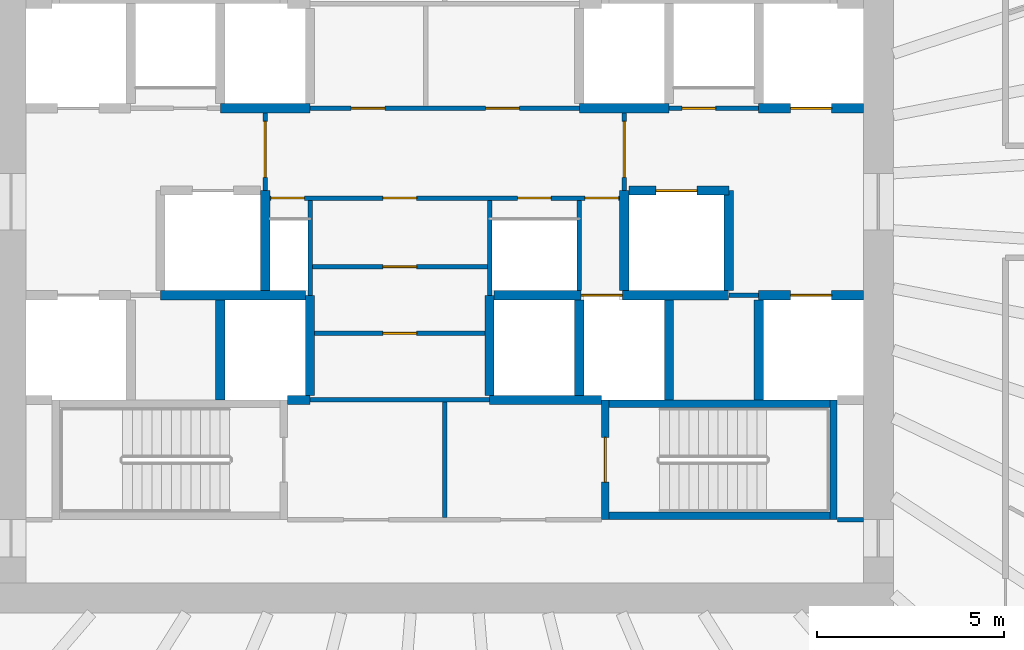
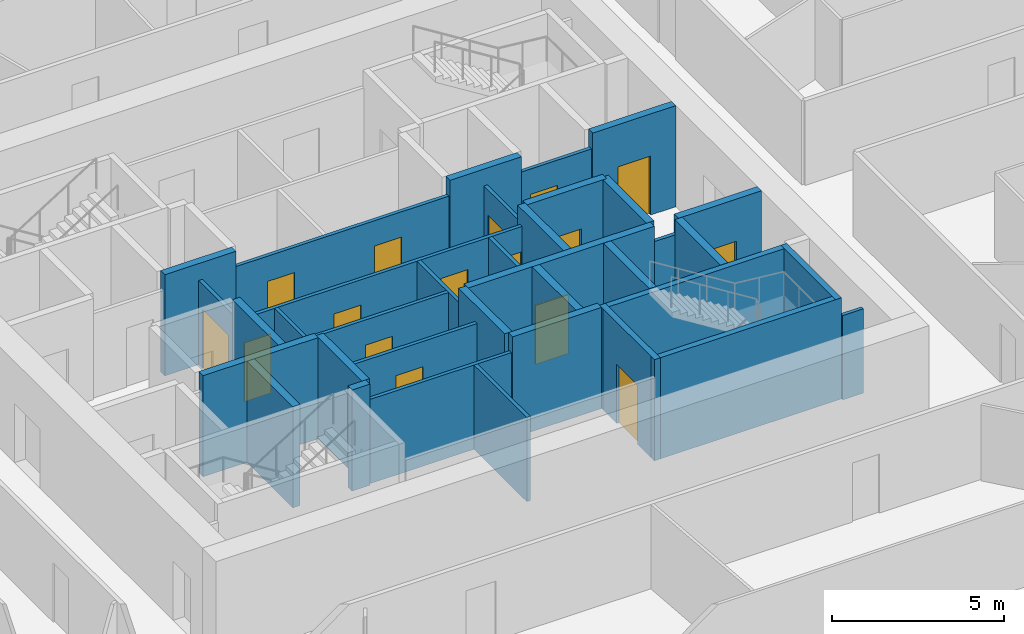
# One storey, part 8 of 12: 36 walls, 16 doors, 16 openings.
"""IFC4 building model written with IfcOpenShell, lengths in metres."""

from ifc_helpers import new_model, si_unit, direction, frame, frame_2d, origin, place, context, subcontext, project, spatial, rectangle, extrude, source, transform, mapped, material, layer, layer_set, type_object, element, fill, save


model = new_model("IFC4")

# Units and contexts
model_context = context("Model", 3, precision=1e-05, world=origin(), true_north=direction((0.0, 1.0)))
body_context = subcontext(model_context, "Body", "Model", "MODEL_VIEW")
ifc_project = project(units=[si_unit("LENGTHUNIT", "METRE"), si_unit("AREAUNIT", "SQUARE_METRE"), si_unit("VOLUMEUNIT", "CUBIC_METRE"), si_unit("PLANEANGLEUNIT", "RADIAN"), si_unit("MASSUNIT", "GRAM", prefix="KILO")], contexts=[model_context])

# Site, building, storey
site_placement = place(None, origin())
site = spatial("IfcSite", under=ifc_project, at=site_placement, CompositionType="ELEMENT")
building_placement = place(site_placement, origin())
building = spatial("IfcBuilding", under=site, at=building_placement, Name="Embergate Tower", CompositionType="ELEMENT")
storey_placement = place(building_placement, frame((0.0, 0.0, 191.10009765625)))
storey = spatial("IfcBuildingStorey", under=building, at=storey_placement, Name="L43", CompositionType="ELEMENT", Elevation=191.10009765625)

# Wall, opening, door
ifc_material_1 = material(Name="Core partition blockwork 120")
ifc_layer_1 = layer(ifc_material_1, 0.1201171875)
ifc_layer_set_1 = layer_set([ifc_layer_1], Name="Core partition blockwork 120")
wall_type_1 = type_object("IfcWallType", Name="Core partition blockwork 120", PredefinedType="PARTITIONING", material=ifc_layer_set_1)
shared_shape_1 = source(origin(), body_context, "Body", "SweptSolid", [
    extrude(rectangle(XDim=2.074951171875, YDim=0.1201171875, at=frame_2d((1.03759765625, 0.0))), origin(), (0.0, 0.0, 1.0), 3.0),
])
wall_1_placement = place(storey_placement, frame((-4.800048828125, 2.375, 0.0), z_axis=(0.0, 0.0, 1.0), x_axis=(0.0, -1.0, 0.0)))
wall_1 = element("IfcWall", 1, at=wall_1_placement, inside=storey, type_object=wall_type_1, Name="IP-3 wall", PredefinedType="PARTITIONING", context=body_context, shape_type="MappedRepresentation", body=[
    mapped(shared_shape_1, transform((0.0, 0.0, 0.0))),
])
shared_shape_2 = source(origin(), body_context, "Body", "SweptSolid", [
    extrude(rectangle(XDim=1.5, YDim=2.10009765625, at=frame_2d((0.75, 1.050048828125))), frame((0.0, 0.070068359375, 0.0), z_axis=(0.0, -1.0, 0.0), x_axis=(1.0, 0.0, 0.0)), (0.0, 0.0, 1.0), 0.14013671875),
])
opening_1_placement = place(wall_1_placement, frame((0.22509765625, 0.0, 0.0)))
opening_1 = element("IfcOpeningElement", 2, at=opening_1_placement, cuts=wall_1, Name="Opening IF-3", PredefinedType="OPENING", context=body_context, shape_type="MappedRepresentation", body=[
    mapped(shared_shape_2, transform((0.0, 0.0, 0.0))),
])
ifc_material_2 = material(Name="Lobby fire door pair 1500")
door_type_1 = type_object("IfcDoorType", Name="Lobby fire door pair 1500", OperationType="DOUBLE_DOOR_SINGLE_SWING", PredefinedType="DOOR", material=ifc_material_2)
shared_shape_3 = source(origin(), body_context, "Body", "SweptSolid", [
    extrude(rectangle(XDim=1.5, YDim=2.10009765625, at=frame_2d((0.75, 1.050048828125))), frame((0.0, 0.02490234375, 0.0), z_axis=(0.0, -1.0, 0.0), x_axis=(1.0, 0.0, 0.0)), (0.0, 0.0, 1.0), 0.050048828125),
])
door_1_placement = place(opening_1_placement, origin())
door_1 = element("IfcDoor", 3, at=door_1_placement, inside=storey, type_object=door_type_1, Name="IF-3 door", OperationType="DOUBLE_DOOR_SINGLE_SWING", OverallHeight=2.10009765625, OverallWidth=1.5, PredefinedType="DOOR", context=body_context, shape_type="MappedRepresentation", body=[
    mapped(shared_shape_3, transform((0.0, 0.0, 0.0))),
])
fill(opening_1, door_1)

wall_2_placement = place(storey_placement, frame((4.800048828125, 0.300048828125, 0.0), z_axis=(0.0, 0.0, 1.0), x_axis=(0.0, 1.0, 0.0)))
wall_2 = element("IfcWall", 4, at=wall_2_placement, inside=storey, type_object=wall_type_1, Name="IP-3 wall", PredefinedType="PARTITIONING", context=body_context, shape_type="MappedRepresentation", body=[
    mapped(shared_shape_1, transform((0.0, 0.0, 0.0))),
])
opening_2_placement = place(wall_2_placement, frame((0.35009765625, 0.0, 0.0)))
opening_2 = element("IfcOpeningElement", 5, at=opening_2_placement, cuts=wall_2, Name="Opening IF-3", PredefinedType="OPENING", context=body_context, shape_type="MappedRepresentation", body=[
    mapped(shared_shape_2, transform((0.0, 0.0, 0.0))),
])
door_2_placement = place(opening_2_placement, origin())
door_2 = element("IfcDoor", 6, at=door_2_placement, inside=storey, type_object=door_type_1, Name="IF-3 door", OperationType="DOUBLE_DOOR_SINGLE_SWING", OverallHeight=2.10009765625, OverallWidth=1.5, PredefinedType="DOOR", context=body_context, shape_type="MappedRepresentation", body=[
    mapped(shared_shape_3, transform((0.0, 0.0, 0.0))),
])
fill(opening_2, door_2)

# Walls
ifc_material_3 = material(Name="Concrete C50", Category="concrete")
ifc_layer_2 = layer(ifc_material_3, 0.25)
ifc_layer_set_2 = layer_set([ifc_layer_2], Name="Concrete C50")
wall_type_2 = type_object("IfcWallType", Name="Hoistway wall reinforced concrete 250", PredefinedType="SHEAR", material=ifc_layer_set_2)
shared_shape_4 = source(origin(), body_context, "Body", "SweptSolid", [
    extrude(rectangle(XDim=2.675048828125, YDim=0.25, at=frame_2d((1.33740234375, 0.0))), origin(), (0.0, 0.0, 1.0), 3.599853515625),
])
for number, where, z_axis, x_axis, name in (
    (7, (-3.60009765625, -5.175048828125, 0.0), (0.0, 0.0, 1.0), (0.0, 1.0, 0.0), "HW-1 wall"),
    (8, (1.199951171875, -2.5, 0.0), (0.0, 0.0, 1.0), (0.0, -1.0, 0.0), "HW-1 wall"),
    (9, (-4.800048828125, 0.300048828125, 0.0), (0.0, 0.0, 1.0), (0.0, -1.0, 0.0), "HW-1 wall"),
    (10, (4.800048828125, -2.375, 0.0), (0.0, 0.0, 1.0), (0.0, 1.0, 0.0), "HW-1 wall"),
):
    element("IfcWall", number, at=place(storey_placement, frame(where, z_axis=z_axis, x_axis=x_axis)), inside=storey, type_object=wall_type_2, Name=name, PredefinedType="SHEAR", context=body_context, shape_type="MappedRepresentation", body=[
        mapped(shared_shape_4, transform((0.0, 0.0, 0.0))),
    ])

# Wall, opening, door
wall_3_placement = place(storey_placement, frame((7.60009765625, 0.300048828125, 0.0), z_axis=(0.0, 0.0, 1.0), x_axis=(-1.0, 0.0, 0.0)))
wall_3 = element("IfcWall", 11, at=wall_3_placement, inside=storey, type_object=wall_type_2, Name="HW-1 wall", PredefinedType="SHEAR", context=body_context, shape_type="MappedRepresentation", body=[
    mapped(shared_shape_4, transform((0.0, 0.0, 0.0))),
])
shared_shape_5 = source(origin(), body_context, "Body", "SweptSolid", [
    extrude(rectangle(XDim=1.10009765625, YDim=2.10009765625, at=frame_2d((0.550048828125, 1.050048828125))), frame((0.0, 0.135009765625, 0.0), z_axis=(0.0, -1.0, 0.0), x_axis=(1.0, 0.0, 0.0)), (0.0, 0.0, 1.0), 0.27001953125),
])
opening_3_placement = place(wall_3_placement, frame((0.85009765625, 0.0, 0.0)))
opening_3 = element("IfcOpeningElement", 12, at=opening_3_placement, cuts=wall_3, Name="Opening LD", PredefinedType="OPENING", context=body_context, shape_type="MappedRepresentation", body=[
    mapped(shared_shape_5, transform((0.0, 0.0, 0.0))),
])
ifc_material_4 = material(Name="Landing door sliding 1100")
door_type_2 = type_object("IfcDoorType", Name="Landing door sliding 1100", OperationType="SLIDING_TO_LEFT", PredefinedType="DOOR", material=ifc_material_4)
shared_shape_6 = source(origin(), body_context, "Body", "SweptSolid", [
    extrude(rectangle(XDim=1.10009765625, YDim=2.10009765625, at=frame_2d((0.550048828125, 1.050048828125))), frame((0.0, 0.02490234375, 0.0), z_axis=(0.0, -1.0, 0.0), x_axis=(1.0, 0.0, 0.0)), (0.0, 0.0, 1.0), 0.050048828125),
])
door_3_placement = place(opening_3_placement, origin())
door_3 = element("IfcDoor", 13, at=door_3_placement, inside=storey, type_object=door_type_2, Name="LD door", OperationType="SLIDING_TO_RIGHT", OverallHeight=2.10009765625, OverallWidth=1.10009765625, PredefinedType="DOOR", context=body_context, shape_type="MappedRepresentation", body=[
    mapped(shared_shape_6, transform((0.0, 0.0, 0.0))),
])
fill(opening_3, door_3)

# Walls
wall_4_placement = place(storey_placement, frame((7.60009765625, -2.375, 0.0), z_axis=(0.0, 0.0, 1.0), x_axis=(0.0, 1.0, 0.0)))
element("IfcWall", 14, at=wall_4_placement, inside=storey, type_object=wall_type_2, Name="HW-1 wall", PredefinedType="SHEAR", context=body_context, shape_type="MappedRepresentation", body=[
    mapped(shared_shape_4, transform((0.0, 0.0, 0.0))),
])
ifc_layer_3 = layer(ifc_material_3, 0.199951171875)
ifc_layer_set_3 = layer_set([ifc_layer_3], Name="Concrete C50")
wall_type_3 = type_object("IfcWallType", Name="Stair enclosure wall reinforced concrete 250", PredefinedType="SHEAR", material=ifc_layer_set_3)
shared_shape_7 = source(origin(), body_context, "Body", "SweptSolid", [
    extrude(rectangle(XDim=6.300048828125, YDim=0.199951171875, at=frame_2d((3.14990234375, 0.0))), origin(), (0.0, 0.0, 1.0), 3.599853515625),
])
for number, where, z_axis, x_axis, name in (
    (15, (4.199951171875, -5.39990234375, 0.0), (0.0, 0.0, 1.0), (1.0, 0.0, 0.0), "SE-1 wall"),
    (16, (4.199951171875, -8.39990234375, 0.0), (0.0, 0.0, 1.0), (1.0, 0.0, 0.0), "SE-1 wall"),
):
    element("IfcWall", number, at=place(storey_placement, frame(where, z_axis=z_axis, x_axis=x_axis)), inside=storey, type_object=wall_type_3, Name=name, PredefinedType="SHEAR", context=body_context, shape_type="MappedRepresentation", body=[
        mapped(shared_shape_7, transform((0.0, 0.0, 0.0))),
    ])
shared_shape_8 = source(origin(), body_context, "Body", "SweptSolid", [
    extrude(rectangle(XDim=2.550048828125, YDim=0.25, at=frame_2d((1.27490234375, 0.0))), origin(), (0.0, 0.0, 1.0), 3.599853515625),
])
wall_5_placement = place(storey_placement, frame((3.60009765625, -5.175048828125, 0.0), z_axis=(0.0, 0.0, 1.0), x_axis=(0.0, 1.0, 0.0)))
element("IfcWall", 17, at=wall_5_placement, inside=storey, type_object=wall_type_2, Name="HW-1 wall", PredefinedType="SHEAR", context=body_context, shape_type="MappedRepresentation", body=[
    mapped(shared_shape_8, transform((0.0, 0.0, 0.0))),
])

# Wall, opening, door
shared_shape_9 = source(origin(), body_context, "Body", "SweptSolid", [
    extrude(rectangle(XDim=3.199951171875, YDim=0.199951171875, at=frame_2d((1.60009765625, 0.0))), origin(), (0.0, 0.0, 1.0), 3.599853515625),
])
wall_6_placement = place(storey_placement, frame((4.300048828125, -5.300048828125, 0.0), z_axis=(0.0, 0.0, 1.0), x_axis=(0.0, -1.0, 0.0)))
wall_6 = element("IfcWall", 18, at=wall_6_placement, inside=storey, type_object=wall_type_3, Name="SE-1 wall", PredefinedType="SHEAR", context=body_context, shape_type="MappedRepresentation", body=[
    mapped(shared_shape_9, transform((0.0, 0.0, 0.0))),
])
shared_shape_10 = source(origin(), body_context, "Body", "SweptSolid", [
    extrude(rectangle(XDim=1.199951171875, YDim=2.10009765625, at=frame_2d((0.60009765625, 1.050048828125))), frame((0.0, 0.10986328125, 0.0), z_axis=(0.0, -1.0, 0.0), x_axis=(1.0, 0.0, 0.0)), (0.0, 0.0, 1.0), 0.219970703125),
])
opening_4_placement = place(wall_6_placement, frame((1.0, 0.0, 0.0)))
opening_4 = element("IfcOpeningElement", 19, at=opening_4_placement, cuts=wall_6, Name="Opening IF-2", PredefinedType="OPENING", context=body_context, shape_type="MappedRepresentation", body=[
    mapped(shared_shape_10, transform((0.0, 0.0, 0.0))),
])
ifc_material_5 = material(Name="Stair enclosure door 1200")
door_type_3 = type_object("IfcDoorType", Name="Stair enclosure door 1200", OperationType="SINGLE_SWING_LEFT", PredefinedType="DOOR", material=ifc_material_5)
shared_shape_11 = source(origin(), body_context, "Body", "SweptSolid", [
    extrude(rectangle(XDim=1.199951171875, YDim=2.10009765625, at=frame_2d((0.60009765625, 1.050048828125))), frame((0.0, 0.02490234375, 0.0), z_axis=(0.0, -1.0, 0.0), x_axis=(1.0, 0.0, 0.0)), (0.0, 0.0, 1.0), 0.050048828125),
])
door_4_placement = place(opening_4_placement, origin())
door_4 = element("IfcDoor", 20, at=door_4_placement, inside=storey, type_object=door_type_3, Name="IF-2 door", OperationType="SINGLE_SWING_LEFT", OverallHeight=2.10009765625, OverallWidth=1.199951171875, PredefinedType="DOOR", context=body_context, shape_type="MappedRepresentation", body=[
    mapped(shared_shape_11, transform((0.0, 0.0, 0.0))),
])
fill(opening_4, door_4)

# Walls
shared_shape_12 = source(origin(), body_context, "Body", "SweptSolid", [
    extrude(rectangle(XDim=2.39990234375, YDim=0.25, at=frame_2d((1.199951171875, 0.0))), origin(), (0.0, 0.0, 1.0), 3.599853515625),
])
for number, where, z_axis, x_axis, name in (
    (21, (-6.0, 2.5, 0.0), (0.0, 0.0, 1.0), (1.0, 0.0, 0.0), "HW-1 wall"),
    (22, (3.60009765625, 2.5, 0.0), (0.0, 0.0, 1.0), (1.0, 0.0, 0.0), "HW-1 wall"),
):
    element("IfcWall", number, at=place(storey_placement, frame(where, z_axis=z_axis, x_axis=x_axis)), inside=storey, type_object=wall_type_2, Name=name, PredefinedType="SHEAR", context=body_context, shape_type="MappedRepresentation", body=[
        mapped(shared_shape_12, transform((0.0, 0.0, 0.0))),
    ])

# Wall, opening, door
shared_shape_13 = source(origin(), body_context, "Body", "SweptSolid", [
    extrude(rectangle(XDim=2.39990234375, YDim=0.1201171875, at=frame_2d((1.199951171875, 0.0))), origin(), (0.0, 0.0, 1.0), 3.0),
])
wall_7_placement = place(storey_placement, frame((6.0, 2.5, 0.0), z_axis=(0.0, 0.0, 1.0), x_axis=(1.0, 0.0, 0.0)))
wall_7 = element("IfcWall", 23, at=wall_7_placement, inside=storey, type_object=wall_type_1, Name="IP-3 wall", PredefinedType="PARTITIONING", context=body_context, shape_type="MappedRepresentation", body=[
    mapped(shared_shape_13, transform((0.0, 0.0, 0.0))),
])
shared_shape_14 = source(origin(), body_context, "Body", "SweptSolid", [
    extrude(rectangle(XDim=0.89990234375, YDim=2.10009765625, at=frame_2d((0.449951171875, 1.050048828125))), frame((0.0, 0.070068359375, 0.0), z_axis=(0.0, -1.0, 0.0), x_axis=(1.0, 0.0, 0.0)), (0.0, 0.0, 1.0), 0.14013671875),
])
opening_5_placement = place(wall_7_placement, frame((0.35009765625, 0.0, 0.0)))
opening_5 = element("IfcOpeningElement", 24, at=opening_5_placement, cuts=wall_7, Name="Opening ID-1", PredefinedType="OPENING", context=body_context, shape_type="MappedRepresentation", body=[
    mapped(shared_shape_14, transform((0.0, 0.0, 0.0))),
])
ifc_material_6 = material(Name="Interior door 900")
door_type_4 = type_object("IfcDoorType", Name="Interior door 900", OperationType="SINGLE_SWING_LEFT", PredefinedType="DOOR", material=ifc_material_6)
shared_shape_15 = source(origin(), body_context, "Body", "SweptSolid", [
    extrude(rectangle(XDim=0.89990234375, YDim=2.10009765625, at=frame_2d((0.449951171875, 1.050048828125))), frame((0.0, 0.02490234375, 0.0), z_axis=(0.0, -1.0, 0.0), x_axis=(1.0, 0.0, 0.0)), (0.0, 0.0, 1.0), 0.050048828125),
])
door_5_placement = place(opening_5_placement, origin())
door_5 = element("IfcDoor", 25, at=door_5_placement, inside=storey, type_object=door_type_4, Name="ID-1 door", OperationType="SINGLE_SWING_RIGHT", OverallHeight=2.10009765625, OverallWidth=0.89990234375, PredefinedType="DOOR", context=body_context, shape_type="MappedRepresentation", body=[
    mapped(shared_shape_15, transform((0.0, 0.0, 0.0))),
])
fill(opening_5, door_5)

# Wall, openings, doors
shared_shape_16 = source(origin(), body_context, "Body", "SweptSolid", [
    extrude(rectangle(XDim=9.35009765625, YDim=0.1201171875, at=frame_2d((4.675048828125, 0.0))), origin(), (0.0, 0.0, 1.0), 3.0),
])
wall_8_placement = place(storey_placement, frame((-4.675048828125, 0.10009765625, 0.0), z_axis=(0.0, 0.0, 1.0), x_axis=(1.0, 0.0, 0.0)))
wall_8 = element("IfcWall", 26, at=wall_8_placement, inside=storey, type_object=wall_type_1, Name="IP-3 wall", PredefinedType="PARTITIONING", context=body_context, shape_type="MappedRepresentation", body=[
    mapped(shared_shape_16, transform((0.0, 0.0, 0.0))),
])
opening_6_placement = place(wall_8_placement, frame((8.425048828125, 0.0, 0.0)))
opening_6 = element("IfcOpeningElement", 27, at=opening_6_placement, cuts=wall_8, Name="Opening IF-3c", PredefinedType="OPENING", context=body_context, shape_type="MappedRepresentation", body=[
    mapped(shared_shape_14, transform((0.0, 0.0, 0.0))),
])
opening_7_placement = place(wall_8_placement, frame((0.02490234375, 0.0, 0.0)))
opening_7 = element("IfcOpeningElement", 28, at=opening_7_placement, cuts=wall_8, Name="Opening ID-1", PredefinedType="OPENING", context=body_context, shape_type="MappedRepresentation", body=[
    mapped(shared_shape_14, transform((0.0, 0.0, 0.0))),
])
opening_8_placement = place(wall_8_placement, frame((6.625, 0.0, 0.0)))
opening_8 = element("IfcOpeningElement", 29, at=opening_8_placement, cuts=wall_8, Name="Opening ID-1", PredefinedType="OPENING", context=body_context, shape_type="MappedRepresentation", body=[
    mapped(shared_shape_14, transform((0.0, 0.0, 0.0))),
])
opening_9_placement = place(wall_8_placement, frame((3.02490234375, 0.0, 0.0)))
opening_9 = element("IfcOpeningElement", 30, at=opening_9_placement, cuts=wall_8, Name="Opening ID-1", PredefinedType="OPENING", context=body_context, shape_type="MappedRepresentation", body=[
    mapped(shared_shape_14, transform((0.0, 0.0, 0.0))),
])
ifc_material_7 = material(Name="Lobby fire door pair 900")
door_type_5 = type_object("IfcDoorType", Name="Lobby fire door pair 900", OperationType="DOUBLE_DOOR_SINGLE_SWING", PredefinedType="DOOR", material=ifc_material_7)
door_6_placement = place(opening_6_placement, origin())
door_6 = element("IfcDoor", 31, at=door_6_placement, inside=storey, type_object=door_type_5, Name="IF-3 door", OperationType="DOUBLE_DOOR_SINGLE_SWING", OverallHeight=2.10009765625, OverallWidth=0.89990234375, PredefinedType="DOOR", context=body_context, shape_type="MappedRepresentation", body=[
    mapped(shared_shape_15, transform((0.0, 0.0, 0.0))),
])
fill(opening_6, door_6)
door_7_placement = place(opening_7_placement, origin())
door_7 = element("IfcDoor", 32, at=door_7_placement, inside=storey, type_object=door_type_4, Name="ID-1 door", OperationType="SINGLE_SWING_RIGHT", OverallHeight=2.10009765625, OverallWidth=0.89990234375, PredefinedType="DOOR", context=body_context, shape_type="MappedRepresentation", body=[
    mapped(shared_shape_15, transform((0.0, 0.0, 0.0))),
])
fill(opening_7, door_7)
door_8_placement = place(opening_8_placement, origin())
door_8 = element("IfcDoor", 33, at=door_8_placement, inside=storey, type_object=door_type_4, Name="ID-1 door", OperationType="SINGLE_SWING_LEFT", OverallHeight=2.10009765625, OverallWidth=0.89990234375, PredefinedType="DOOR", context=body_context, shape_type="MappedRepresentation", body=[
    mapped(shared_shape_15, transform((0.0, 0.0, 0.0))),
])
fill(opening_8, door_8)
door_9_placement = place(opening_9_placement, origin())
door_9 = element("IfcDoor", 34, at=door_9_placement, inside=storey, type_object=door_type_4, Name="ID-1 door", OperationType="SINGLE_SWING_RIGHT", OverallHeight=2.10009765625, OverallWidth=0.89990234375, PredefinedType="DOOR", context=body_context, shape_type="MappedRepresentation", body=[
    mapped(shared_shape_15, transform((0.0, 0.0, 0.0))),
])
fill(opening_9, door_9)

shared_shape_17 = source(origin(), body_context, "Body", "SweptSolid", [
    extrude(rectangle(XDim=7.2001953125, YDim=0.1201171875, at=frame_2d((3.60009765625, 0.0))), origin(), (0.0, 0.0, 1.0), 3.0),
])
wall_9_placement = place(storey_placement, frame((3.60009765625, 2.5, 0.0), z_axis=(0.0, 0.0, 1.0), x_axis=(-1.0, 0.0, 0.0)))
wall_9 = element("IfcWall", 35, at=wall_9_placement, inside=storey, type_object=wall_type_1, Name="IP-3 wall", PredefinedType="PARTITIONING", context=body_context, shape_type="MappedRepresentation", body=[
    mapped(shared_shape_17, transform((0.0, 0.0, 0.0))),
])
opening_10_placement = place(wall_9_placement, frame((5.201904296875, 0.0, 0.0)))
opening_10 = element("IfcOpeningElement", 36, at=opening_10_placement, cuts=wall_9, Name="Opening ID-1", PredefinedType="OPENING", context=body_context, shape_type="MappedRepresentation", body=[
    mapped(shared_shape_14, transform((0.0, 0.0, 0.0))),
])
opening_11_placement = place(wall_9_placement, frame((1.60205078125, 0.0, 0.0)))
opening_11 = element("IfcOpeningElement", 37, at=opening_11_placement, cuts=wall_9, Name="Opening ID-1", PredefinedType="OPENING", context=body_context, shape_type="MappedRepresentation", body=[
    mapped(shared_shape_14, transform((0.0, 0.0, 0.0))),
])
door_10_placement = place(opening_10_placement, origin())
door_10 = element("IfcDoor", 38, at=door_10_placement, inside=storey, type_object=door_type_4, Name="ID-1 door", OperationType="SINGLE_SWING_LEFT", OverallHeight=2.10009765625, OverallWidth=0.89990234375, PredefinedType="DOOR", context=body_context, shape_type="MappedRepresentation", body=[
    mapped(shared_shape_15, transform((0.0, 0.0, 0.0))),
])
fill(opening_10, door_10)
door_11_placement = place(opening_11_placement, origin())
door_11 = element("IfcDoor", 39, at=door_11_placement, inside=storey, type_object=door_type_4, Name="ID-1 door", OperationType="SINGLE_SWING_RIGHT", OverallHeight=2.10009765625, OverallWidth=0.89990234375, PredefinedType="DOOR", context=body_context, shape_type="MappedRepresentation", body=[
    mapped(shared_shape_15, transform((0.0, 0.0, 0.0))),
])
fill(opening_11, door_11)

# Walls
shared_shape_18 = source(origin(), body_context, "Body", "SweptSolid", [
    extrude(rectangle(XDim=2.5400390625, YDim=0.1201171875, at=frame_2d((1.27001953125, 0.0))), origin(), (0.0, 0.0, 1.0), 3.0),
])
for number, where, z_axis, x_axis, name in (
    (40, (-3.60009765625, -2.5, 0.0), (0.0, 0.0, 1.0), (0.0, 1.0, 0.0), "IP-3 wall"),
    (41, (1.199951171875, 0.0400390625, 0.0), (0.0, 0.0, 1.0), (0.0, -1.0, 0.0), "IP-3 wall"),
):
    element("IfcWall", number, at=place(storey_placement, frame(where, z_axis=z_axis, x_axis=x_axis)), inside=storey, type_object=wall_type_1, Name=name, PredefinedType="PARTITIONING", context=body_context, shape_type="MappedRepresentation", body=[
        mapped(shared_shape_18, transform((0.0, 0.0, 0.0))),
    ])
shared_shape_19 = source(origin(), body_context, "Body", "SweptSolid", [
    extrude(rectangle(XDim=2.4150390625, YDim=0.1201171875, at=frame_2d((1.20751953125, 0.0))), origin(), (0.0, 0.0, 1.0), 3.0),
])
wall_10_placement = place(storey_placement, frame((3.60009765625, -2.375, 0.0), z_axis=(0.0, 0.0, 1.0), x_axis=(0.0, 1.0, 0.0)))
element("IfcWall", 42, at=wall_10_placement, inside=storey, type_object=wall_type_1, Name="IP-3 wall", PredefinedType="PARTITIONING", context=body_context, shape_type="MappedRepresentation", body=[
    mapped(shared_shape_19, transform((0.0, 0.0, 0.0))),
])
shared_shape_20 = source(origin(), body_context, "Body", "SweptSolid", [
    extrude(rectangle(XDim=3.079833984375, YDim=0.1201171875, at=frame_2d((1.5400390625, 0.0))), origin(), (0.0, 0.0, 1.0), 3.0),
])
wall_11_placement = place(storey_placement, frame((0.0, -8.43994140625, 0.0), z_axis=(0.0, 0.0, 1.0), x_axis=(0.0, 1.0, 0.0)))
element("IfcWall", 43, at=wall_11_placement, inside=storey, type_object=wall_type_1, Name="IP-3 wall", PredefinedType="PARTITIONING", context=body_context, shape_type="MappedRepresentation", body=[
    mapped(shared_shape_20, transform((0.0, 0.0, 0.0))),
])
shared_shape_21 = source(origin(), body_context, "Body", "SweptSolid", [
    extrude(rectangle(XDim=4.800048828125, YDim=0.1201171875, at=frame_2d((2.39990234375, 0.0))), origin(), (0.0, 0.0, 1.0), 3.0),
])
wall_12_placement = place(storey_placement, frame((1.199951171875, -5.300048828125, 0.0), z_axis=(0.0, 0.0, 1.0), x_axis=(-1.0, 0.0, 0.0)))
element("IfcWall", 44, at=wall_12_placement, inside=storey, type_object=wall_type_1, Name="IP-3 wall", PredefinedType="PARTITIONING", context=body_context, shape_type="MappedRepresentation", body=[
    mapped(shared_shape_21, transform((0.0, 0.0, 0.0))),
])
shared_shape_22 = source(origin(), body_context, "Body", "SweptSolid", [
    extrude(rectangle(XDim=0.7958984375, YDim=0.1201171875, at=frame_2d((0.39794921875, 0.0))), origin(), (0.0, 0.0, 1.0), 3.0),
])
wall_13_placement = place(storey_placement, frame((7.60205078125, -2.5, 0.0), z_axis=(0.0, 0.0, 1.0), x_axis=(1.0, 0.0, 0.0)))
element("IfcWall", 45, at=wall_13_placement, inside=storey, type_object=wall_type_1, Name="IP-3 wall", PredefinedType="PARTITIONING", context=body_context, shape_type="MappedRepresentation", body=[
    mapped(shared_shape_22, transform((0.0, 0.0, 0.0))),
])
shared_shape_23 = source(origin(), body_context, "Body", "SweptSolid", [
    extrude(rectangle(XDim=0.697998046875, YDim=0.1201171875, at=frame_2d((0.34912109375, 0.0))), origin(), (0.0, 0.0, 1.0), 3.0),
])
wall_14_placement = place(storey_placement, frame((11.199951171875, -8.5, 0.0), z_axis=(0.0, 0.0, 1.0), x_axis=(-1.0, 0.0, 0.0)))
element("IfcWall", 46, at=wall_14_placement, inside=storey, type_object=wall_type_1, Name="IP-3 wall", PredefinedType="PARTITIONING", context=body_context, shape_type="MappedRepresentation", body=[
    mapped(shared_shape_23, transform((0.0, 0.0, 0.0))),
])

# Wall, opening, door
shared_shape_24 = source(origin(), body_context, "Body", "SweptSolid", [
    extrude(rectangle(XDim=2.800048828125, YDim=0.25, at=frame_2d((1.39990234375, 0.0))), origin(), (0.0, 0.0, 1.0), 3.599853515625),
])
wall_15_placement = place(storey_placement, frame((8.39990234375, 2.5, 0.0), z_axis=(0.0, 0.0, 1.0), x_axis=(1.0, 0.0, 0.0)))
wall_15 = element("IfcWall", 47, at=wall_15_placement, inside=storey, type_object=wall_type_2, Name="HW-1 wall", PredefinedType="SHEAR", context=body_context, shape_type="MappedRepresentation", body=[
    mapped(shared_shape_24, transform((0.0, 0.0, 0.0))),
])
opening_12_placement = place(wall_15_placement, frame((0.85009765625, 0.0, 0.0)))
opening_12 = element("IfcOpeningElement", 48, at=opening_12_placement, cuts=wall_15, Name="Opening LD", PredefinedType="OPENING", context=body_context, shape_type="MappedRepresentation", body=[
    mapped(shared_shape_5, transform((0.0, 0.0, 0.0))),
])
door_12_placement = place(opening_12_placement, origin())
door_12 = element("IfcDoor", 49, at=door_12_placement, inside=storey, type_object=door_type_2, Name="LD door", OperationType="SLIDING_TO_LEFT", OverallHeight=2.10009765625, OverallWidth=1.10009765625, PredefinedType="DOOR", context=body_context, shape_type="MappedRepresentation", body=[
    mapped(shared_shape_6, transform((0.0, 0.0, 0.0))),
])
fill(opening_12, door_12)

wall_16_placement = place(storey_placement, frame((11.199951171875, -2.5, 0.0), z_axis=(0.0, 0.0, 1.0), x_axis=(-1.0, 0.0, 0.0)))
wall_16 = element("IfcWall", 50, at=wall_16_placement, inside=storey, type_object=wall_type_2, Name="HW-1 wall", PredefinedType="SHEAR", context=body_context, shape_type="MappedRepresentation", body=[
    mapped(shared_shape_24, transform((0.0, 0.0, 0.0))),
])
opening_13_placement = place(wall_16_placement, frame((0.85009765625, 0.0, 0.0)))
opening_13 = element("IfcOpeningElement", 51, at=opening_13_placement, cuts=wall_16, Name="Opening LD", PredefinedType="OPENING", context=body_context, shape_type="MappedRepresentation", body=[
    mapped(shared_shape_5, transform((0.0, 0.0, 0.0))),
])
door_13_placement = place(opening_13_placement, origin())
door_13 = element("IfcDoor", 52, at=door_13_placement, inside=storey, type_object=door_type_2, Name="LD door", OperationType="SLIDING_TO_RIGHT", OverallHeight=2.10009765625, OverallWidth=1.10009765625, PredefinedType="DOOR", context=body_context, shape_type="MappedRepresentation", body=[
    mapped(shared_shape_6, transform((0.0, 0.0, 0.0))),
])
fill(opening_13, door_13)

# Walls
shared_shape_25 = source(origin(), body_context, "Body", "SweptSolid", [
    extrude(rectangle(XDim=0.599853515625, YDim=0.25, at=frame_2d((0.2998046875, 0.0))), origin(), (0.0, 0.0, 1.0), 3.599853515625),
])
wall_17_placement = place(storey_placement, frame((-4.199951171875, -5.300048828125, 0.0), z_axis=(0.0, 0.0, 1.0), x_axis=(1.0, 0.0, 0.0)))
element("IfcWall", 53, at=wall_17_placement, inside=storey, type_object=wall_type_2, Name="HW-1 wall", PredefinedType="SHEAR", context=body_context, shape_type="MappedRepresentation", body=[
    mapped(shared_shape_25, transform((0.0, 0.0, 0.0))),
])
shared_shape_26 = source(origin(), body_context, "Body", "SweptSolid", [
    extrude(rectangle(XDim=3.872802734375, YDim=0.25, at=frame_2d((1.9365234375, 0.0))), origin(), (0.0, 0.0, 1.0), 3.599853515625),
])
wall_18_placement = place(storey_placement, frame((-3.72509765625, -2.5, 0.0), z_axis=(0.0, 0.0, 1.0), x_axis=(-1.0, 0.0, 0.0)))
element("IfcWall", 54, at=wall_18_placement, inside=storey, type_object=wall_type_2, Name="HW-1 wall", PredefinedType="SHEAR", context=body_context, shape_type="MappedRepresentation", body=[
    mapped(shared_shape_26, transform((0.0, 0.0, 0.0))),
])

# Wall, opening, door
shared_shape_27 = source(origin(), body_context, "Body", "SweptSolid", [
    extrude(rectangle(XDim=6.27294921875, YDim=0.25, at=frame_2d((3.136474609375, 0.0))), origin(), (0.0, 0.0, 1.0), 3.599853515625),
])
wall_19_placement = place(storey_placement, frame((7.597900390625, -2.5, 0.0), z_axis=(0.0, 0.0, 1.0), x_axis=(-1.0, 0.0, 0.0)))
wall_19 = element("IfcWall", 55, at=wall_19_placement, inside=storey, type_object=wall_type_2, Name="HW-1 wall", PredefinedType="SHEAR", context=body_context, shape_type="MappedRepresentation", body=[
    mapped(shared_shape_27, transform((0.0, 0.0, 0.0))),
])
opening_14_placement = place(wall_19_placement, frame((2.847900390625, 0.0, 0.0)))
opening_14 = element("IfcOpeningElement", 56, at=opening_14_placement, cuts=wall_19, Name="Opening LD", PredefinedType="OPENING", context=body_context, shape_type="MappedRepresentation", body=[
    mapped(shared_shape_5, transform((0.0, 0.0, 0.0))),
])
door_14_placement = place(opening_14_placement, origin())
door_14 = element("IfcDoor", 57, at=door_14_placement, inside=storey, type_object=door_type_2, Name="LD door", OperationType="SLIDING_TO_RIGHT", OverallHeight=2.10009765625, OverallWidth=1.10009765625, PredefinedType="DOOR", context=body_context, shape_type="MappedRepresentation", body=[
    mapped(shared_shape_6, transform((0.0, 0.0, 0.0))),
])
fill(opening_14, door_14)

# Wall
shared_shape_28 = source(origin(), body_context, "Body", "SweptSolid", [
    extrude(rectangle(XDim=3.0, YDim=0.25, at=frame_2d((1.5, 0.0))), origin(), (0.0, 0.0, 1.0), 3.599853515625),
])
wall_20_placement = place(storey_placement, frame((1.199951171875, -5.300048828125, 0.0), z_axis=(0.0, 0.0, 1.0), x_axis=(1.0, 0.0, 0.0)))
element("IfcWall", 58, at=wall_20_placement, inside=storey, type_object=wall_type_2, Name="HW-1 wall", PredefinedType="SHEAR", context=body_context, shape_type="MappedRepresentation", body=[
    mapped(shared_shape_28, transform((0.0, 0.0, 0.0))),
])

# Wall, opening, door
shared_shape_29 = source(origin(), body_context, "Body", "SweptSolid", [
    extrude(rectangle(XDim=4.550048828125, YDim=0.1201171875, at=frame_2d((2.27490234375, 0.0))), origin(), (0.0, 0.0, 1.0), 3.0),
])
wall_21_placement = place(storey_placement, frame((1.074951171875, -3.51806640625, 0.0), z_axis=(0.0, 0.0, 1.0), x_axis=(-1.0, 0.0, 0.0)))
wall_21 = element("IfcWall", 59, at=wall_21_placement, inside=storey, type_object=wall_type_1, Name="IP-3 wall", PredefinedType="PARTITIONING", context=body_context, shape_type="MappedRepresentation", body=[
    mapped(shared_shape_29, transform((0.0, 0.0, 0.0))),
])
opening_15_placement = place(wall_21_placement, frame((1.824951171875, 0.0, 0.0)))
opening_15 = element("IfcOpeningElement", 60, at=opening_15_placement, cuts=wall_21, Name="Opening ID-1", PredefinedType="OPENING", context=body_context, shape_type="MappedRepresentation", body=[
    mapped(shared_shape_14, transform((0.0, 0.0, 0.0))),
])
door_15_placement = place(opening_15_placement, origin())
door_15 = element("IfcDoor", 61, at=door_15_placement, inside=storey, type_object=door_type_4, Name="ID-1 door", OperationType="SINGLE_SWING_RIGHT", OverallHeight=2.10009765625, OverallWidth=0.89990234375, PredefinedType="DOOR", context=body_context, shape_type="MappedRepresentation", body=[
    mapped(shared_shape_15, transform((0.0, 0.0, 0.0))),
])
fill(opening_15, door_15)

shared_shape_30 = source(origin(), body_context, "Body", "SweptSolid", [
    extrude(rectangle(XDim=4.679931640625, YDim=0.1201171875, at=frame_2d((2.33984375, 0.0))), origin(), (0.0, 0.0, 1.0), 3.0),
])
wall_22_placement = place(storey_placement, frame((1.139892578125, -1.736083984375, 0.0), z_axis=(0.0, 0.0, 1.0), x_axis=(-1.0, 0.0, 0.0)))
wall_22 = element("IfcWall", 62, at=wall_22_placement, inside=storey, type_object=wall_type_1, Name="IP-3 wall", PredefinedType="PARTITIONING", context=body_context, shape_type="MappedRepresentation", body=[
    mapped(shared_shape_30, transform((0.0, 0.0, 0.0))),
])
opening_16_placement = place(wall_22_placement, frame((1.889892578125, 0.0, 0.0)))
opening_16 = element("IfcOpeningElement", 63, at=opening_16_placement, cuts=wall_22, Name="Opening ID-1", PredefinedType="OPENING", context=body_context, shape_type="MappedRepresentation", body=[
    mapped(shared_shape_14, transform((0.0, 0.0, 0.0))),
])
door_16_placement = place(opening_16_placement, origin())
door_16 = element("IfcDoor", 64, at=door_16_placement, inside=storey, type_object=door_type_4, Name="ID-1 door", OperationType="SINGLE_SWING_RIGHT", OverallHeight=2.10009765625, OverallWidth=0.89990234375, PredefinedType="DOOR", context=body_context, shape_type="MappedRepresentation", body=[
    mapped(shared_shape_15, transform((0.0, 0.0, 0.0))),
])
fill(opening_16, door_16)

# Walls
shared_shape_31 = source(origin(), body_context, "Body", "SweptSolid", [
    extrude(rectangle(XDim=3.196044921875, YDim=0.199951171875, at=frame_2d((1.59814453125, 0.0))), origin(), (0.0, 0.0, 1.0), 3.599853515625),
])
wall_23_placement = place(storey_placement, frame((10.39990234375, -8.498046875, 0.0), z_axis=(0.0, 0.0, 1.0), x_axis=(0.0, 1.0, 0.0)))
element("IfcWall", 65, at=wall_23_placement, inside=storey, type_object=wall_type_3, Name="SE-1 wall", PredefinedType="SHEAR", context=body_context, shape_type="MappedRepresentation", body=[
    mapped(shared_shape_31, transform((0.0, 0.0, 0.0))),
])
shared_shape_32 = source(origin(), body_context, "Body", "SweptSolid", [
    extrude(rectangle(XDim=2.671142578125, YDim=0.25, at=frame_2d((1.33544921875, 0.0))), origin(), (0.0, 0.0, 1.0), 3.599853515625),
])
for number, where, z_axis, x_axis, name in (
    (66, (-6.0, -2.626953125, 0.0), (0.0, 0.0, 1.0), (0.0, -1.0, 0.0), "HW-1 wall"),
    (67, (6.0, -5.298095703125, 0.0), (0.0, 0.0, 1.0), (0.0, 1.0, 0.0), "HW-1 wall"),
    (68, (8.39990234375, -2.626953125, 0.0), (0.0, 0.0, 1.0), (0.0, -1.0, 0.0), "HW-1 wall"),
):
    element("IfcWall", number, at=place(storey_placement, frame(where, z_axis=z_axis, x_axis=x_axis)), inside=storey, type_object=wall_type_2, Name=name, PredefinedType="SHEAR", context=body_context, shape_type="MappedRepresentation", body=[
        mapped(shared_shape_32, transform((0.0, 0.0, 0.0))),
    ])

save(model, "model.ifc")
